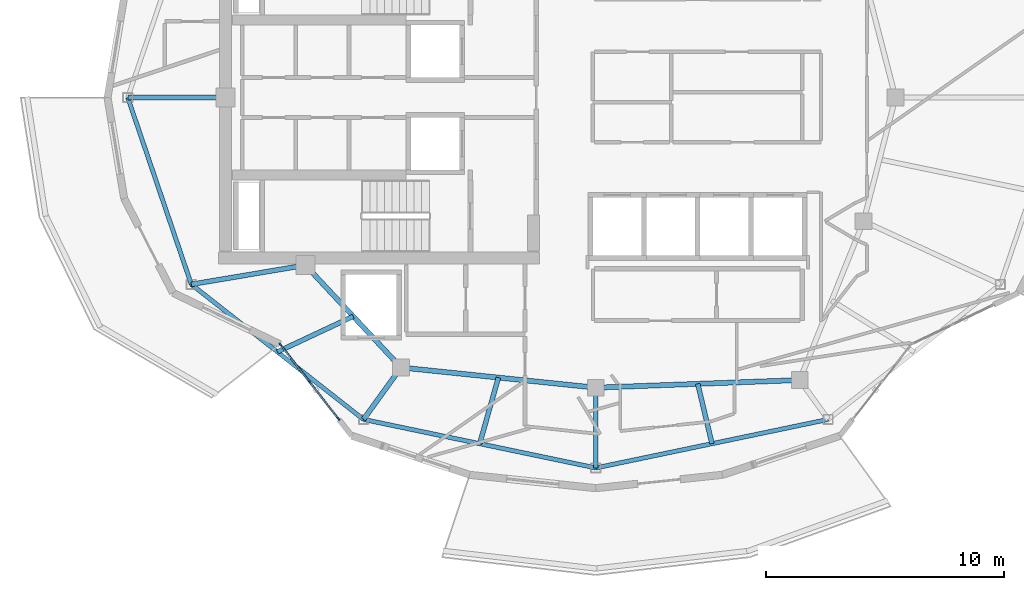
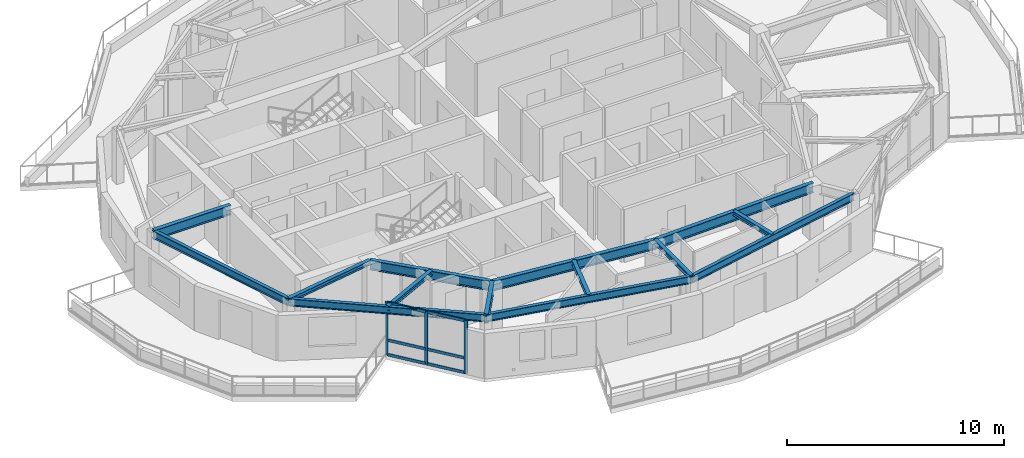
# One storey, part 2 of 15: 14 beams, 9 members, 1 element without a shape of its own.
"""IFC4 building model written with IfcOpenShell, lengths in metres."""

from ifc_helpers import new_model, si_unit, direction, frame, origin, origin_2d, place, context, subcontext, project, spatial, rectangle, i_section, extrude, material, layer, layer_set, material_profile, profile_set, type_object, element, aggregate, save


model = new_model("IFC4")

# Units and contexts
model_context = context("Model", 3, precision=1e-05, world=origin(), true_north=direction((0.0, 1.0)))
body_context = subcontext(model_context, "Body", "Model", "MODEL_VIEW")
ifc_project = project(units=[si_unit("LENGTHUNIT", "METRE"), si_unit("AREAUNIT", "SQUARE_METRE"), si_unit("VOLUMEUNIT", "CUBIC_METRE"), si_unit("PLANEANGLEUNIT", "RADIAN"), si_unit("MASSUNIT", "GRAM", prefix="KILO")], contexts=[model_context])

# Site, building, storey
site_placement = place(None, origin())
site = spatial("IfcSite", under=ifc_project, at=site_placement, CompositionType="ELEMENT")
building_placement = place(site_placement, origin())
building = spatial("IfcBuilding", under=site, at=building_placement, Name="Kolvaren Gate Tower and Convention Centre", CompositionType="ELEMENT")
storey_placement = place(building_placement, frame((0.0, 0.0, 272.300048828125)))
storey = spatial("IfcBuildingStorey", under=building, at=storey_placement, Name="L74", CompositionType="ELEMENT", Elevation=272.300048828125)

# Curtain wall, members
ifc_material_1 = material(Name="Anodized Architectural Aluminium Alloy 6063-T6", Category="aluminium")
ifc_layer = layer(ifc_material_1, 0.159912109375)
ifc_layer_set = layer_set([ifc_layer], Name="Anodized Architectural Aluminium Alloy 6063-T6")
curtain_wall_type = type_object("IfcCurtainWallType", Name="CW-RES-UNIT", PredefinedType="NOTDEFINED", material=ifc_layer_set)
curtain_wall_placement = place(storey_placement, origin())
curtain_wall = element("IfcCurtainWall", 1, at=curtain_wall_placement, inside=storey, type_object=curtain_wall_type, Name="Tower L74 Unitised Curtain Wall CW-RES-UNIT Bay 15", PredefinedType="NOTDEFINED")
ifc_material_profile_1 = material_profile(ifc_material_1, rectangle(XDim=0.06494140625, YDim=0.159912109375, at=origin_2d()), Name="CW-MEM-MUL-160")
ifc_profile_set_1 = profile_set([ifc_material_profile_1], Name="Anodized Architectural Aluminium Alloy 6063-T6")
member_type_1 = type_object("IfcMemberType", Name="CW-MEM-MUL-160", PredefinedType="MULLION", material=ifc_profile_set_1)
member_1_placement = place(storey_placement, frame((16.8662109375, 16.59912109375, 0.0), z_axis=(0.0, 0.0, 1.0), x_axis=(0.787412947119, 0.616425867976, 0.0)))
member_1 = element("IfcMember", 2, at=member_1_placement, type_object=member_type_1, Name="CW-04 mullion 1", PredefinedType="MULLION", context=body_context, shape_type="SweptSolid", body=[
    extrude(rectangle(XDim=0.06494140625, YDim=0.159912109375, at=origin_2d()), origin(), (0.0, 0.0, 1.0), 2.97998046875),
])
member_2_placement = place(storey_placement, frame((18.082763671875, 15.045166015625, 0.0), z_axis=(0.0, 0.0, 1.0), x_axis=(0.787412947119, 0.616425867976, 0.0)))
member_2 = element("IfcMember", 3, at=member_2_placement, type_object=member_type_1, Name="CW-04 mullion 2", PredefinedType="MULLION", context=body_context, shape_type="SweptSolid", body=[
    extrude(rectangle(XDim=0.06494140625, YDim=0.159912109375, at=origin_2d()), origin(), (0.0, 0.0, 1.0), 2.97998046875),
])
member_3_placement = place(storey_placement, frame((19.299072265625, 13.4912109375, 0.0), z_axis=(0.0, 0.0, 1.0), x_axis=(0.787412947119, 0.616425867976, 0.0)))
member_3 = element("IfcMember", 4, at=member_3_placement, type_object=member_type_1, Name="CW-04 mullion 3", PredefinedType="MULLION", context=body_context, shape_type="SweptSolid", body=[
    extrude(rectangle(XDim=0.06494140625, YDim=0.159912109375, at=origin_2d()), origin(), (0.0, 0.0, 1.0), 2.97998046875),
])
ifc_material_profile_2 = material_profile(ifc_material_1, rectangle(XDim=0.06494140625, YDim=0.159912109375, at=origin_2d()), Name="CW-MEM-TRN-160")
ifc_profile_set_2 = profile_set([ifc_material_profile_2], Name="Anodized Architectural Aluminium Alloy 6063-T6")
member_type_2 = type_object("IfcMemberType", Name="CW-MEM-TRN-160", PredefinedType="USERDEFINED", material=ifc_profile_set_2)
member_4_placement = place(storey_placement, frame((16.88623046875, 16.573486328125, 0.032470703125), z_axis=(0.616328956941, -0.787488804261, 0.0), x_axis=(0.787488804261, 0.616328956941, 0.0)))
member_4 = element("IfcMember", 5, at=member_4_placement, type_object=member_type_2, Name="CW-04 transom 1.1", ObjectType="TRANSOM", PredefinedType="USERDEFINED", context=body_context, shape_type="SweptSolid", body=[
    extrude(rectangle(XDim=0.06494140625, YDim=0.159912109375, at=origin_2d()), origin(), (0.0, 0.0, 1.0), 1.908447265625),
])
member_5_placement = place(storey_placement, frame((16.88623046875, 16.573486328125, 0.849853515625), z_axis=(0.616328956941, -0.787488804261, 0.0), x_axis=(0.787488804261, 0.616328956941, 0.0)))
member_5 = element("IfcMember", 6, at=member_5_placement, type_object=member_type_2, Name="CW-04 transom 1.2", ObjectType="TRANSOM", PredefinedType="USERDEFINED", context=body_context, shape_type="SweptSolid", body=[
    extrude(rectangle(XDim=0.06494140625, YDim=0.159912109375, at=origin_2d()), origin(), (0.0, 0.0, 1.0), 1.908447265625),
])
member_6_placement = place(storey_placement, frame((16.88623046875, 16.573486328125, 2.947509765625), z_axis=(0.616328956941, -0.787488804261, 0.0), x_axis=(0.787488804261, 0.616328956941, 0.0)))
member_6 = element("IfcMember", 7, at=member_6_placement, type_object=member_type_2, Name="CW-04 transom 1.3", ObjectType="TRANSOM", PredefinedType="USERDEFINED", context=body_context, shape_type="SweptSolid", body=[
    extrude(rectangle(XDim=0.06494140625, YDim=0.159912109375, at=origin_2d()), origin(), (0.0, 0.0, 1.0), 1.908447265625),
])
member_7_placement = place(storey_placement, frame((18.102783203125, 15.01953125, 0.032470703125), z_axis=(0.616328956941, -0.787488804261, 0.0), x_axis=(0.787488804261, 0.616328956941, 0.0)))
member_7 = element("IfcMember", 8, at=member_7_placement, type_object=member_type_2, Name="CW-04 transom 2.1", ObjectType="TRANSOM", PredefinedType="USERDEFINED", context=body_context, shape_type="SweptSolid", body=[
    extrude(rectangle(XDim=0.06494140625, YDim=0.159912109375, at=origin_2d()), origin(), (0.0, 0.0, 1.0), 1.908447265625),
])
member_8_placement = place(storey_placement, frame((18.102783203125, 15.01953125, 0.849853515625), z_axis=(0.616328956941, -0.787488804261, 0.0), x_axis=(0.787488804261, 0.616328956941, 0.0)))
member_8 = element("IfcMember", 9, at=member_8_placement, type_object=member_type_2, Name="CW-04 transom 2.2", ObjectType="TRANSOM", PredefinedType="USERDEFINED", context=body_context, shape_type="SweptSolid", body=[
    extrude(rectangle(XDim=0.06494140625, YDim=0.159912109375, at=origin_2d()), origin(), (0.0, 0.0, 1.0), 1.908447265625),
])
member_9_placement = place(storey_placement, frame((18.102783203125, 15.01953125, 2.947509765625), z_axis=(0.616328956941, -0.787488804261, 0.0), x_axis=(0.787488804261, 0.616328956941, 0.0)))
member_9 = element("IfcMember", 10, at=member_9_placement, type_object=member_type_2, Name="CW-04 transom 2.3", ObjectType="TRANSOM", PredefinedType="USERDEFINED", context=body_context, shape_type="SweptSolid", body=[
    extrude(rectangle(XDim=0.06494140625, YDim=0.159912109375, at=origin_2d()), origin(), (0.0, 0.0, 1.0), 1.908447265625),
])
aggregate(curtain_wall, [member_1, member_2, member_3, member_4, member_5, member_6, member_7, member_8, member_9])

# Beams
ifc_material_2 = material(Name="Structural steel ASTM A992 Grade 345 MPa", Category="steel")
ifc_material_profile_3 = material_profile(ifc_material_2, i_section(OverallWidth=0.2119140625, OverallDepth=0.5439453125, WebThickness=0.01318359375, FlangeThickness=0.021240234375, at=origin_2d()), Name="W530X123")
ifc_profile_set_3 = profile_set([ifc_material_profile_3], Name="Structural steel ASTM A992 Grade 345 MPa")
beam_type_1 = type_object("IfcBeamType", Name="STR-BM-W530X123", PredefinedType="BEAM", material=ifc_profile_set_3)
beam_1_placement = place(storey_placement, frame((17.9140625, 19.949951171875, 2.7080078125), z_axis=(0.682557592987, -0.730831808459, 0.0), x_axis=(0.730831808459, 0.682557592987, 0.0)))
element("IfcBeam", 11, at=beam_1_placement, inside=storey, type_object=beam_type_1, Name="Tower L74 Primary Ring Girder G-06", PredefinedType="BEAM", context=body_context, shape_type="SweptSolid", body=[
    extrude(i_section(OverallWidth=0.2119140625, OverallDepth=0.5439453125, WebThickness=0.01318359375, FlangeThickness=0.021240234375, at=origin_2d()), origin(), (0.0, 0.0, 1.0), 5.88671875),
])
beam_2_placement = place(storey_placement, frame((21.93212890625, 15.647705078125, 2.7080078125), z_axis=(0.994690329115, -0.102913308978, 0.0), x_axis=(0.102913308978, 0.994690329115, 0.0)))
element("IfcBeam", 12, at=beam_2_placement, inside=storey, type_object=beam_type_1, Name="Tower L74 Primary Ring Girder G-07", PredefinedType="BEAM", context=body_context, shape_type="SweptSolid", body=[
    extrude(i_section(OverallWidth=0.2119140625, OverallDepth=0.5439453125, WebThickness=0.01318359375, FlangeThickness=0.021240234375, at=origin_2d()), origin(), (0.0, 0.0, 1.0), 8.236572265625),
])
beam_3_placement = place(storey_placement, frame((30.125, 14.800048828125, 2.7080078125), z_axis=(0.999301712453, 0.037364254142, 0.0), x_axis=(-0.037364254142, 0.999301712453, 0.0)))
element("IfcBeam", 13, at=beam_3_placement, inside=storey, type_object=beam_type_1, Name="Tower L74 Primary Ring Girder G-08", PredefinedType="BEAM", context=body_context, shape_type="SweptSolid", body=[
    extrude(i_section(OverallWidth=0.2119140625, OverallDepth=0.5439453125, WebThickness=0.01318359375, FlangeThickness=0.021240234375, at=origin_2d()), origin(), (0.0, 0.0, 1.0), 8.579345703125),
])
beam_4_placement = place(storey_placement, frame((14.550048828125, 27.0, 2.7080078125), z_axis=(-1.0, 0.0, 0.0), x_axis=(0.0, -1.0, 0.0)))
element("IfcBeam", 14, at=beam_4_placement, inside=storey, type_object=beam_type_1, Name="Tower L74 Radial Floor Girder RB-07", PredefinedType="BEAM", context=body_context, shape_type="SweptSolid", body=[
    extrude(i_section(OverallWidth=0.2119140625, OverallDepth=0.5439453125, WebThickness=0.01318359375, FlangeThickness=0.021240234375, at=origin_2d()), origin(), (0.0, 0.0, 1.0), 4.106201171875),
])
beam_5_placement = place(storey_placement, frame((21.93212890625, 15.647705078125, 2.7080078125), z_axis=(-0.585228935975, -0.810868110421, 0.0), x_axis=(0.810868110421, -0.585228935975, 0.0)))
element("IfcBeam", 15, at=beam_5_placement, inside=storey, type_object=beam_type_1, Name="Tower L74 Radial Floor Girder RB-09", PredefinedType="BEAM", context=body_context, shape_type="SweptSolid", body=[
    extrude(i_section(OverallWidth=0.2119140625, OverallDepth=0.5439453125, WebThickness=0.01318359375, FlangeThickness=0.021240234375, at=origin_2d()), origin(), (0.0, 0.0, 1.0), 2.69189453125),
])
ifc_material_profile_4 = material_profile(ifc_material_2, i_section(OverallWidth=0.202880859375, OverallDepth=0.251953125, WebThickness=0.008056640625, FlangeThickness=0.013427734375, at=origin_2d()), Name="W250X58")
ifc_profile_set_4 = profile_set([ifc_material_profile_4], Name="Structural steel ASTM A992 Grade 345 MPa")
beam_type_2 = type_object("IfcBeamType", Name="STR-JS-W250X58", PredefinedType="JOIST", material=ifc_profile_set_4)
beam_6_placement = place(storey_placement, frame((17.9140625, 19.949951171875, 2.85400390625), z_axis=(-0.986176061403, -0.165700862749, 0.0), x_axis=(0.165700862749, -0.986176061403, 0.0)))
element("IfcBeam", 16, at=beam_6_placement, inside=storey, type_object=beam_type_2, Name="Tower L74 Radial Floor Girder RB-08", PredefinedType="JOIST", context=body_context, shape_type="SweptSolid", body=[
    extrude(i_section(OverallWidth=0.202880859375, OverallDepth=0.251953125, WebThickness=0.008056640625, FlangeThickness=0.013427734375, at=origin_2d()), origin(), (0.0, 0.0, 1.0), 4.864990234375),
])
beam_7_placement = place(storey_placement, frame((30.125, 14.800048828125, 2.85400390625), z_axis=(0.0, -1.0, 0.0), x_axis=(1.0, 0.0, 0.0)))
element("IfcBeam", 17, at=beam_7_placement, inside=storey, type_object=beam_type_2, Name="Tower L74 Radial Floor Girder RB-10", PredefinedType="JOIST", context=body_context, shape_type="SweptSolid", body=[
    extrude(i_section(OverallWidth=0.202880859375, OverallDepth=0.251953125, WebThickness=0.008056640625, FlangeThickness=0.013427734375, at=origin_2d()), origin(), (0.0, 0.0, 1.0), 3.375),
])
beam_8_placement = place(storey_placement, frame((19.923095703125, 17.798828125, 2.85400390625), z_axis=(-0.90535561097, -0.424654233095, 0.0), x_axis=(0.424654233095, -0.90535561097, 0.0)))
element("IfcBeam", 18, at=beam_8_placement, inside=storey, type_object=beam_type_2, Name="Tower L74 Secondary Composite Floor Joist J-08.1", PredefinedType="JOIST", context=body_context, shape_type="SweptSolid", body=[
    extrude(i_section(OverallWidth=0.202880859375, OverallDepth=0.251953125, WebThickness=0.008056640625, FlangeThickness=0.013427734375, at=origin_2d()), origin(), (0.0, 0.0, 1.0), 3.51953125),
])
beam_9_placement = place(storey_placement, frame((26.028564453125, 15.223876953125, 2.85400390625), z_axis=(-0.272666468309, -0.962108620198, 0.0), x_axis=(0.962108620198, -0.272666468309, 0.0)))
element("IfcBeam", 19, at=beam_9_placement, inside=storey, type_object=beam_type_2, Name="Tower L74 Secondary Composite Floor Joist J-09.1", PredefinedType="JOIST", context=body_context, shape_type="SweptSolid", body=[
    extrude(i_section(OverallWidth=0.202880859375, OverallDepth=0.251953125, WebThickness=0.008056640625, FlangeThickness=0.013427734375, at=origin_2d()), origin(), (0.0, 0.0, 1.0), 2.888427734375),
])
beam_10_placement = place(storey_placement, frame((34.41162109375, 14.960205078125, 2.85400390625), z_axis=(0.231075782924, -0.972935754583, 0.0), x_axis=(0.972935754583, 0.231075782924, 0.0)))
element("IfcBeam", 20, at=beam_10_placement, inside=storey, type_object=beam_type_2, Name="Tower L74 Secondary Composite Floor Joist J-10.1", PredefinedType="JOIST", context=body_context, shape_type="SweptSolid", body=[
    extrude(i_section(OverallWidth=0.202880859375, OverallDepth=0.251953125, WebThickness=0.008056640625, FlangeThickness=0.013427734375, at=origin_2d()), origin(), (0.0, 0.0, 1.0), 2.58544921875),
])
ifc_material_profile_5 = material_profile(ifc_material_2, i_section(OverallWidth=0.180908203125, OverallDepth=0.4169921875, WebThickness=0.010986328125, FlangeThickness=0.018310546875, at=origin_2d()), Name="W410X85")
ifc_profile_set_5 = profile_set([ifc_material_profile_5], Name="Structural steel ASTM A992 Grade 345 MPa")
beam_type_3 = type_object("IfcBeamType", Name="STR-SP-W410X85", PredefinedType="SPANDREL", material=ifc_profile_set_5)
beam_11_placement = place(storey_placement, frame((10.44384765625, 27.0, 2.771484375), z_axis=(0.322038282171, -0.946726647357, 0.0), x_axis=(0.946726647357, 0.322038282171, 0.0)))
element("IfcBeam", 21, at=beam_11_placement, inside=storey, type_object=beam_type_3, Name="Tower L74 Perimeter Spandrel Beam SP-07", PredefinedType="SPANDREL", context=body_context, shape_type="SweptSolid", body=[
    extrude(i_section(OverallWidth=0.180908203125, OverallDepth=0.4169921875, WebThickness=0.010986328125, FlangeThickness=0.018310546875, at=origin_2d()), origin(), (0.0, 0.0, 1.0), 8.29833984375),
])
beam_12_placement = place(storey_placement, frame((13.1162109375, 19.143798828125, 2.771484375), z_axis=(0.786845586039, -0.61714991998, 0.0), x_axis=(0.61714991998, 0.786845586039, 0.0)))
element("IfcBeam", 22, at=beam_12_placement, inside=storey, type_object=beam_type_3, Name="Tower L74 Perimeter Spandrel Beam SP-08", PredefinedType="SPANDREL", context=body_context, shape_type="SweptSolid", body=[
    extrude(i_section(OverallWidth=0.180908203125, OverallDepth=0.4169921875, WebThickness=0.010986328125, FlangeThickness=0.018310546875, at=origin_2d()), origin(), (0.0, 0.0, 1.0), 9.201904296875),
])
for number, where, z_axis, x_axis, name in (
    (23, (20.356689453125, 13.46484375, 2.771484375), (0.978885668593, -0.204408531681, 0.0), (0.204408531681, 0.978885668593, 0.0), "Tower L74 Perimeter Spandrel Beam SP-09"),
    (24, (30.125, 11.425048828125, 2.771484375), (0.978885668593, 0.204408531681, 0.0), (-0.204408531681, 0.978885668593, 0.0), "Tower L74 Perimeter Spandrel Beam SP-10"),
):
    element("IfcBeam", number, at=place(storey_placement, frame(where, z_axis=z_axis, x_axis=x_axis)), inside=storey, type_object=beam_type_3, Name=name, PredefinedType="SPANDREL", context=body_context, shape_type="SweptSolid", body=[
        extrude(i_section(OverallWidth=0.180908203125, OverallDepth=0.4169921875, WebThickness=0.010986328125, FlangeThickness=0.018310546875, at=origin_2d()), origin(), (0.0, 0.0, 1.0), 9.97900390625),
    ])

save(model, "model.ifc")
